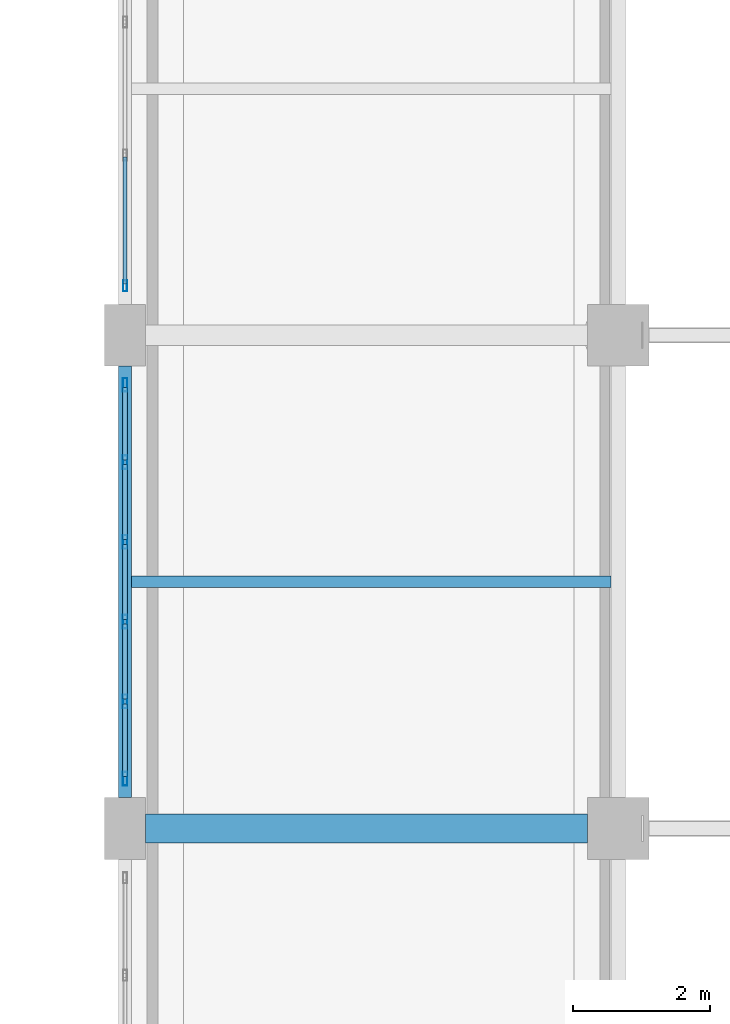
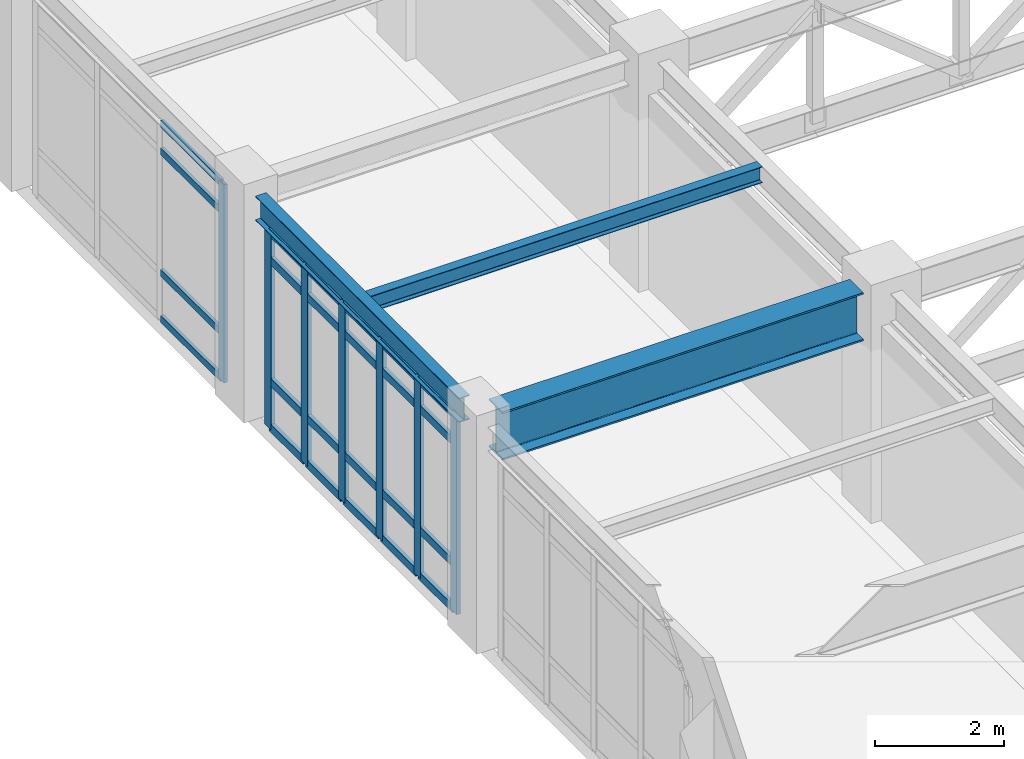
# One storey, part 21 of 106: 31 members, 3 beams, 2 elements without a shape of their own.
"""IFC4 building model written with IfcOpenShell, lengths in metres."""

from ifc_helpers import new_model, si_unit, direction, frame, origin, origin_2d, place, context, subcontext, project, spatial, hollow_rectangle, i_section, extrude, material, layer, layer_set, material_profile, profile_set, type_object, element, aggregate, save


model = new_model("IFC4")

# Units and contexts
model_context = context("Model", 3, precision=1e-05, world=origin(), true_north=direction((0.0, 1.0)))
body_context = subcontext(model_context, "Body", "Model", "MODEL_VIEW")
ifc_project = project(units=[si_unit("LENGTHUNIT", "METRE"), si_unit("AREAUNIT", "SQUARE_METRE"), si_unit("VOLUMEUNIT", "CUBIC_METRE"), si_unit("PLANEANGLEUNIT", "RADIAN"), si_unit("MASSUNIT", "GRAM", prefix="KILO")], contexts=[model_context])

# Site, building, storey
site_placement = place(None, origin())
site = spatial("IfcSite", under=ifc_project, at=site_placement, CompositionType="ELEMENT")
building_placement = place(site_placement, origin())
building = spatial("IfcBuilding", under=site, at=building_placement, Name="Carrowvane Square Congress Hotel", CompositionType="ELEMENT")
storey_placement = place(building_placement, frame((0.0, 0.0, 10.5)))
storey = spatial("IfcBuildingStorey", under=building, at=storey_placement, Name="L02", CompositionType="ELEMENT", Elevation=10.5)

# Beams
ifc_material_1 = material(Name="Steel S355", Category="steel")
ifc_material_profile_1 = material_profile(ifc_material_1, i_section(OverallWidth=0.165771484375, OverallDepth=0.306640625, WebThickness=0.006591796875, FlangeThickness=0.01171875, FilletRadius=0.0087890625, at=origin_2d()), Name="UKB 305x165x46")
ifc_profile_set_1 = profile_set([ifc_material_profile_1], Name="Steel S355")
beam_type_1 = type_object("IfcBeamType", Name="BM-ST-UKB305", PredefinedType="JOIST", material=ifc_profile_set_1)
beam_1_placement = place(storey_placement, frame((134.095703125, 37.800048828125, 4.066650390625), z_axis=(1.0, 0.0, 0.0), x_axis=(0.0, 1.0, 0.0)))
element("IfcBeam", 1, at=beam_1_placement, inside=storey, type_object=beam_type_1, Name="L03 secondary joist 18-19", PredefinedType="JOIST", context=body_context, shape_type="SweptSolid", body=[
    extrude(i_section(OverallWidth=0.165771484375, OverallDepth=0.306640625, WebThickness=0.006591796875, FlangeThickness=0.01171875, FilletRadius=0.0087890625, at=origin_2d()), origin(), (0.0, 0.0, 1.0), 6.999267578125),
])
ifc_material_2 = material(Name="Steel S355", Category="steel")
ifc_material_profile_2 = material_profile(ifc_material_2, i_section(OverallWidth=0.19140625, OverallDepth=0.4599609375, WebThickness=0.010009765625, FlangeThickness=0.01611328125, FilletRadius=0.01025390625, at=origin_2d()), Name="UKB 457x191x82")
ifc_profile_set_2 = profile_set([ifc_material_profile_2], Name="Steel S355")
beam_type_2 = type_object("IfcBeamType", Name="BM-ST-UKB457", PredefinedType="SPANDREL", material=ifc_profile_set_2)
beam_2_placement = place(storey_placement, frame((134.0, 34.64990234375, 3.989990234375), z_axis=(0.0, 1.0, 0.0), x_axis=(-1.0, 0.0, 0.0)))
element("IfcBeam", 2, at=beam_2_placement, inside=storey, type_object=beam_type_2, Name="L03 girder 18/E-F", PredefinedType="SPANDREL", context=body_context, shape_type="SweptSolid", body=[
    extrude(i_section(OverallWidth=0.19140625, OverallDepth=0.4599609375, WebThickness=0.010009765625, FlangeThickness=0.01611328125, FilletRadius=0.01025390625, at=origin_2d()), origin(), (0.0, 0.0, 1.0), 6.300048828125),
])
ifc_material_3 = material(Name="Steel S355", Category="steel")
ifc_material_profile_3 = material_profile(ifc_material_3, i_section(OverallWidth=0.41845703125, OverallDepth=0.911865234375, WebThickness=0.019287109375, FlangeThickness=0.031982421875, FilletRadius=0.024169921875, at=origin_2d()), Name="UKB 914x419x343")
ifc_profile_set_3 = profile_set([ifc_material_profile_3], Name="Steel S355")
beam_type_3 = type_object("IfcBeamType", Name="BM-ST-UKB914B", PredefinedType="USERDEFINED", material=ifc_profile_set_3)
beam_3_placement = place(storey_placement, frame((134.300048828125, 34.199951171875, 3.76416015625), z_axis=(1.0, 0.0, 0.0), x_axis=(0.0, 1.0, 0.0)))
element("IfcBeam", 3, at=beam_3_placement, inside=storey, type_object=beam_type_3, Name="L03 girder E/18-19", ObjectType="GIRDER", PredefinedType="USERDEFINED", context=body_context, shape_type="SweptSolid", body=[
    extrude(i_section(OverallWidth=0.41845703125, OverallDepth=0.911865234375, WebThickness=0.019287109375, FlangeThickness=0.031982421875, FilletRadius=0.024169921875, at=origin_2d()), origin(), (0.0, 0.0, 1.0), 6.449951171875),
])

# Curtain wall, member
ifc_material_4 = material(Name="Anodised aluminium", Category="aluminium")
ifc_layer_1 = layer(ifc_material_4, 0.162109375)
ifc_layer_set_1 = layer_set([ifc_layer_1], Name="Anodised aluminium")
curtain_wall_type_1 = type_object("IfcCurtainWallType", Name="CW-SYS-1", PredefinedType="NOTDEFINED", material=ifc_layer_set_1)
curtain_wall_1_placement = place(storey_placement, origin())
curtain_wall_1 = element("IfcCurtainWall", 4, at=curtain_wall_1_placement, inside=storey, type_object=curtain_wall_type_1, Name="L02 unitised curtain wall 184", PredefinedType="NOTDEFINED")
ifc_material_5 = material(Name="Anodised aluminium", Category="aluminium")
ifc_material_profile_4 = material_profile(ifc_material_5, hollow_rectangle(XDim=0.06005859375, YDim=0.159912109375, WallThickness=0.00390625, at=origin_2d()), Name="CW-ML 60x160x4")
ifc_profile_set_4 = profile_set([ifc_material_profile_4], Name="Anodised aluminium")
member_type_1 = type_object("IfcMemberType", Name="CW-MUL-1", PredefinedType="MULLION", material=ifc_profile_set_4)
member_1_placement = place(storey_placement, frame((134.0, 42.1201171875, 0.0), z_axis=(0.0, 0.0, 1.0), x_axis=(-1.0, 0.0, 0.0)))
member_1 = element("IfcMember", 5, at=member_1_placement, type_object=member_type_1, Name="CW-1 mullion 1", PredefinedType="MULLION", context=body_context, shape_type="SweptSolid", body=[
    extrude(hollow_rectangle(XDim=0.06005859375, YDim=0.159912109375, WallThickness=0.00390625, at=origin_2d()), origin(), (0.0, 0.0, 1.0), 3.7451171875),
])

# Curtain wall, members
ifc_material_6 = material(Name="Anodised aluminium", Category="aluminium")
ifc_layer_2 = layer(ifc_material_6, 0.24609375)
ifc_layer_set_2 = layer_set([ifc_layer_2], Name="Anodised aluminium")
curtain_wall_type_2 = type_object("IfcCurtainWallType", Name="CW-SYS-8", PredefinedType="NOTDEFINED", material=ifc_layer_set_2)
curtain_wall_2_placement = place(storey_placement, origin())
curtain_wall_2 = element("IfcCurtainWall", 6, at=curtain_wall_2_placement, inside=storey, type_object=curtain_wall_type_2, Name="L02 unitised curtain wall 183", PredefinedType="NOTDEFINED")
ifc_material_7 = material(Name="Anodised aluminium", Category="aluminium")
ifc_material_profile_5 = material_profile(ifc_material_7, hollow_rectangle(XDim=0.070068359375, YDim=0.199951171875, WallThickness=0.0048828125, at=origin_2d()), Name="CW-ML 70x200x5")
ifc_profile_set_5 = profile_set([ifc_material_profile_5], Name="Anodised aluminium")
member_type_2 = type_object("IfcMemberType", Name="CW-MUL-2", PredefinedType="MULLION", material=ifc_profile_set_5)
member_2_placement = place(storey_placement, frame((134.0, 34.925048828125, 0.0), z_axis=(0.0, 0.0, 1.0), x_axis=(-1.0, 0.0, 0.0)))
member_2 = element("IfcMember", 7, at=member_2_placement, type_object=member_type_2, Name="CW-8 mullion 1", PredefinedType="MULLION", context=body_context, shape_type="SweptSolid", body=[
    extrude(hollow_rectangle(XDim=0.070068359375, YDim=0.199951171875, WallThickness=0.0048828125, at=origin_2d()), origin(), (0.0, 0.0, 1.0), 3.7451171875),
])
member_3_placement = place(storey_placement, frame((134.0, 36.053955078125, 0.0), z_axis=(0.0, 0.0, 1.0), x_axis=(-1.0, 0.0, 0.0)))
member_3 = element("IfcMember", 8, at=member_3_placement, type_object=member_type_2, Name="CW-8 mullion 2", PredefinedType="MULLION", context=body_context, shape_type="SweptSolid", body=[
    extrude(hollow_rectangle(XDim=0.070068359375, YDim=0.199951171875, WallThickness=0.0048828125, at=origin_2d()), origin(), (0.0, 0.0, 1.0), 3.7451171875),
])
member_4_placement = place(storey_placement, frame((134.0, 37.218017578125, 0.0), z_axis=(0.0, 0.0, 1.0), x_axis=(-1.0, 0.0, 0.0)))
member_4 = element("IfcMember", 9, at=member_4_placement, type_object=member_type_2, Name="CW-8 mullion 3", PredefinedType="MULLION", context=body_context, shape_type="SweptSolid", body=[
    extrude(hollow_rectangle(XDim=0.070068359375, YDim=0.199951171875, WallThickness=0.0048828125, at=origin_2d()), origin(), (0.0, 0.0, 1.0), 3.7451171875),
])
member_5_placement = place(storey_placement, frame((134.0, 38.382080078125, 0.0), z_axis=(0.0, 0.0, 1.0), x_axis=(-1.0, 0.0, 0.0)))
member_5 = element("IfcMember", 10, at=member_5_placement, type_object=member_type_2, Name="CW-8 mullion 4", PredefinedType="MULLION", context=body_context, shape_type="SweptSolid", body=[
    extrude(hollow_rectangle(XDim=0.070068359375, YDim=0.199951171875, WallThickness=0.0048828125, at=origin_2d()), origin(), (0.0, 0.0, 1.0), 3.7451171875),
])
member_6_placement = place(storey_placement, frame((134.0, 39.5458984375, 0.0), z_axis=(0.0, 0.0, 1.0), x_axis=(-1.0, 0.0, 0.0)))
member_6 = element("IfcMember", 11, at=member_6_placement, type_object=member_type_2, Name="CW-8 mullion 5", PredefinedType="MULLION", context=body_context, shape_type="SweptSolid", body=[
    extrude(hollow_rectangle(XDim=0.070068359375, YDim=0.199951171875, WallThickness=0.0048828125, at=origin_2d()), origin(), (0.0, 0.0, 1.0), 3.7451171875),
])
member_7_placement = place(storey_placement, frame((134.0, 40.675048828125, 0.0), z_axis=(0.0, 0.0, 1.0), x_axis=(-1.0, 0.0, 0.0)))
member_7 = element("IfcMember", 12, at=member_7_placement, type_object=member_type_2, Name="CW-8 mullion 6", PredefinedType="MULLION", context=body_context, shape_type="SweptSolid", body=[
    extrude(hollow_rectangle(XDim=0.070068359375, YDim=0.199951171875, WallThickness=0.0048828125, at=origin_2d()), origin(), (0.0, 0.0, 1.0), 3.7451171875),
])

# Member
ifc_material_8 = material(Name="Anodised aluminium", Category="aluminium")
ifc_material_profile_6 = material_profile(ifc_material_8, hollow_rectangle(XDim=0.06005859375, YDim=0.1298828125, WallThickness=0.00390625, at=origin_2d()), Name="CW-TR 60x130x4")
ifc_profile_set_6 = profile_set([ifc_material_profile_6], Name="Anodised aluminium")
member_type_3 = type_object("IfcMemberType", Name="CW-TRN-1", PredefinedType="USERDEFINED", material=ifc_profile_set_6)
member_8_placement = place(storey_placement, frame((134.0, 42.14990234375, 0.030029296875), z_axis=(0.0, 1.0, 0.0), x_axis=(-1.0, 0.0, 0.0)))
member_8 = element("IfcMember", 13, at=member_8_placement, type_object=member_type_3, Name="CW-1 transom 1.1", ObjectType="TRANSOM", PredefinedType="USERDEFINED", context=body_context, shape_type="SweptSolid", body=[
    extrude(hollow_rectangle(XDim=0.06005859375, YDim=0.1298828125, WallThickness=0.00390625, at=origin_2d()), origin(), (0.0, 0.0, 1.0), 1.85009765625),
])

member_9_placement = place(storey_placement, frame((134.0, 42.14990234375, 0.89990234375), z_axis=(0.0, 1.0, 0.0), x_axis=(-1.0, 0.0, 0.0)))
member_9 = element("IfcMember", 14, at=member_9_placement, type_object=member_type_3, Name="CW-1 transom 1.2", ObjectType="TRANSOM", PredefinedType="USERDEFINED", context=body_context, shape_type="SweptSolid", body=[
    extrude(hollow_rectangle(XDim=0.06005859375, YDim=0.1298828125, WallThickness=0.00390625, at=origin_2d()), origin(), (0.0, 0.0, 1.0), 1.85009765625),
])

member_10_placement = place(storey_placement, frame((134.0, 42.14990234375, 3.195068359375), z_axis=(0.0, 1.0, 0.0), x_axis=(-1.0, 0.0, 0.0)))
member_10 = element("IfcMember", 15, at=member_10_placement, type_object=member_type_3, Name="CW-1 transom 1.3", ObjectType="TRANSOM", PredefinedType="USERDEFINED", context=body_context, shape_type="SweptSolid", body=[
    extrude(hollow_rectangle(XDim=0.06005859375, YDim=0.1298828125, WallThickness=0.00390625, at=origin_2d()), origin(), (0.0, 0.0, 1.0), 1.85009765625),
])

member_11_placement = place(storey_placement, frame((134.0, 42.14990234375, 3.715087890625), z_axis=(0.0, 1.0, 0.0), x_axis=(-1.0, 0.0, 0.0)))
member_11 = element("IfcMember", 16, at=member_11_placement, type_object=member_type_3, Name="CW-1 transom 1.4", ObjectType="TRANSOM", PredefinedType="USERDEFINED", context=body_context, shape_type="SweptSolid", body=[
    extrude(hollow_rectangle(XDim=0.06005859375, YDim=0.1298828125, WallThickness=0.00390625, at=origin_2d()), origin(), (0.0, 0.0, 1.0), 1.85009765625),
])

aggregate(curtain_wall_1, [member_1, member_8, member_9, member_10, member_11])

ifc_material_9 = material(Name="Anodised aluminium", Category="aluminium")
ifc_material_profile_7 = material_profile(ifc_material_9, hollow_rectangle(XDim=0.070068359375, YDim=0.14990234375, WallThickness=0.0048828125, at=origin_2d()), Name="CW-TR 70x150x5")
ifc_profile_set_7 = profile_set([ifc_material_profile_7], Name="Anodised aluminium")
member_type_4 = type_object("IfcMemberType", Name="CW-TRN-2", PredefinedType="USERDEFINED", material=ifc_profile_set_7)
member_12_placement = place(storey_placement, frame((134.0, 34.9599609375, 0.034912109375), z_axis=(0.0, 1.0, 0.0), x_axis=(-1.0, 0.0, 0.0)))
member_12 = element("IfcMember", 17, at=member_12_placement, type_object=member_type_4, Name="CW-8 transom 1.1", ObjectType="TRANSOM", PredefinedType="USERDEFINED", context=body_context, shape_type="SweptSolid", body=[
    extrude(hollow_rectangle(XDim=0.070068359375, YDim=0.14990234375, WallThickness=0.0048828125, at=origin_2d()), origin(), (0.0, 0.0, 1.0), 1.05908203125),
])

member_13_placement = place(storey_placement, frame((134.0, 34.9599609375, 0.89990234375), z_axis=(0.0, 1.0, 0.0), x_axis=(-1.0, 0.0, 0.0)))
member_13 = element("IfcMember", 18, at=member_13_placement, type_object=member_type_4, Name="CW-8 transom 1.2", ObjectType="TRANSOM", PredefinedType="USERDEFINED", context=body_context, shape_type="SweptSolid", body=[
    extrude(hollow_rectangle(XDim=0.070068359375, YDim=0.14990234375, WallThickness=0.0048828125, at=origin_2d()), origin(), (0.0, 0.0, 1.0), 1.05908203125),
])

member_14_placement = place(storey_placement, frame((134.0, 34.9599609375, 3.195068359375), z_axis=(0.0, 1.0, 0.0), x_axis=(-1.0, 0.0, 0.0)))
member_14 = element("IfcMember", 19, at=member_14_placement, type_object=member_type_4, Name="CW-8 transom 1.3", ObjectType="TRANSOM", PredefinedType="USERDEFINED", context=body_context, shape_type="SweptSolid", body=[
    extrude(hollow_rectangle(XDim=0.070068359375, YDim=0.14990234375, WallThickness=0.0048828125, at=origin_2d()), origin(), (0.0, 0.0, 1.0), 1.05908203125),
])

member_15_placement = place(storey_placement, frame((134.0, 34.9599609375, 3.7099609375), z_axis=(0.0, 1.0, 0.0), x_axis=(-1.0, 0.0, 0.0)))
member_15 = element("IfcMember", 20, at=member_15_placement, type_object=member_type_4, Name="CW-8 transom 1.4", ObjectType="TRANSOM", PredefinedType="USERDEFINED", context=body_context, shape_type="SweptSolid", body=[
    extrude(hollow_rectangle(XDim=0.070068359375, YDim=0.14990234375, WallThickness=0.0048828125, at=origin_2d()), origin(), (0.0, 0.0, 1.0), 1.05908203125),
])

member_16_placement = place(storey_placement, frame((134.0, 36.089111328125, 0.034912109375), z_axis=(0.0, 1.0, 0.0), x_axis=(-1.0, 0.0, 0.0)))
member_16 = element("IfcMember", 21, at=member_16_placement, type_object=member_type_4, Name="CW-8 transom 2.1", ObjectType="TRANSOM", PredefinedType="USERDEFINED", context=body_context, shape_type="SweptSolid", body=[
    extrude(hollow_rectangle(XDim=0.070068359375, YDim=0.14990234375, WallThickness=0.0048828125, at=origin_2d()), origin(), (0.0, 0.0, 1.0), 1.093994140625),
])

member_17_placement = place(storey_placement, frame((134.0, 36.089111328125, 0.89990234375), z_axis=(0.0, 1.0, 0.0), x_axis=(-1.0, 0.0, 0.0)))
member_17 = element("IfcMember", 22, at=member_17_placement, type_object=member_type_4, Name="CW-8 transom 2.2", ObjectType="TRANSOM", PredefinedType="USERDEFINED", context=body_context, shape_type="SweptSolid", body=[
    extrude(hollow_rectangle(XDim=0.070068359375, YDim=0.14990234375, WallThickness=0.0048828125, at=origin_2d()), origin(), (0.0, 0.0, 1.0), 1.093994140625),
])

member_18_placement = place(storey_placement, frame((134.0, 36.089111328125, 3.195068359375), z_axis=(0.0, 1.0, 0.0), x_axis=(-1.0, 0.0, 0.0)))
member_18 = element("IfcMember", 23, at=member_18_placement, type_object=member_type_4, Name="CW-8 transom 2.3", ObjectType="TRANSOM", PredefinedType="USERDEFINED", context=body_context, shape_type="SweptSolid", body=[
    extrude(hollow_rectangle(XDim=0.070068359375, YDim=0.14990234375, WallThickness=0.0048828125, at=origin_2d()), origin(), (0.0, 0.0, 1.0), 1.093994140625),
])

member_19_placement = place(storey_placement, frame((134.0, 36.089111328125, 3.7099609375), z_axis=(0.0, 1.0, 0.0), x_axis=(-1.0, 0.0, 0.0)))
member_19 = element("IfcMember", 24, at=member_19_placement, type_object=member_type_4, Name="CW-8 transom 2.4", ObjectType="TRANSOM", PredefinedType="USERDEFINED", context=body_context, shape_type="SweptSolid", body=[
    extrude(hollow_rectangle(XDim=0.070068359375, YDim=0.14990234375, WallThickness=0.0048828125, at=origin_2d()), origin(), (0.0, 0.0, 1.0), 1.093994140625),
])

member_20_placement = place(storey_placement, frame((134.0, 37.2529296875, 0.034912109375), z_axis=(0.0, 1.0, 0.0), x_axis=(-1.0, 0.0, 0.0)))
member_20 = element("IfcMember", 25, at=member_20_placement, type_object=member_type_4, Name="CW-8 transom 3.1", ObjectType="TRANSOM", PredefinedType="USERDEFINED", context=body_context, shape_type="SweptSolid", body=[
    extrude(hollow_rectangle(XDim=0.070068359375, YDim=0.14990234375, WallThickness=0.0048828125, at=origin_2d()), origin(), (0.0, 0.0, 1.0), 1.093994140625),
])

member_21_placement = place(storey_placement, frame((134.0, 37.2529296875, 0.89990234375), z_axis=(0.0, 1.0, 0.0), x_axis=(-1.0, 0.0, 0.0)))
member_21 = element("IfcMember", 26, at=member_21_placement, type_object=member_type_4, Name="CW-8 transom 3.2", ObjectType="TRANSOM", PredefinedType="USERDEFINED", context=body_context, shape_type="SweptSolid", body=[
    extrude(hollow_rectangle(XDim=0.070068359375, YDim=0.14990234375, WallThickness=0.0048828125, at=origin_2d()), origin(), (0.0, 0.0, 1.0), 1.093994140625),
])

member_22_placement = place(storey_placement, frame((134.0, 37.2529296875, 3.195068359375), z_axis=(0.0, 1.0, 0.0), x_axis=(-1.0, 0.0, 0.0)))
member_22 = element("IfcMember", 27, at=member_22_placement, type_object=member_type_4, Name="CW-8 transom 3.3", ObjectType="TRANSOM", PredefinedType="USERDEFINED", context=body_context, shape_type="SweptSolid", body=[
    extrude(hollow_rectangle(XDim=0.070068359375, YDim=0.14990234375, WallThickness=0.0048828125, at=origin_2d()), origin(), (0.0, 0.0, 1.0), 1.093994140625),
])

member_23_placement = place(storey_placement, frame((134.0, 37.2529296875, 3.7099609375), z_axis=(0.0, 1.0, 0.0), x_axis=(-1.0, 0.0, 0.0)))
member_23 = element("IfcMember", 28, at=member_23_placement, type_object=member_type_4, Name="CW-8 transom 3.4", ObjectType="TRANSOM", PredefinedType="USERDEFINED", context=body_context, shape_type="SweptSolid", body=[
    extrude(hollow_rectangle(XDim=0.070068359375, YDim=0.14990234375, WallThickness=0.0048828125, at=origin_2d()), origin(), (0.0, 0.0, 1.0), 1.093994140625),
])

member_24_placement = place(storey_placement, frame((134.0, 38.4169921875, 0.034912109375), z_axis=(0.0, 1.0, 0.0), x_axis=(-1.0, 0.0, 0.0)))
member_24 = element("IfcMember", 29, at=member_24_placement, type_object=member_type_4, Name="CW-8 transom 4.1", ObjectType="TRANSOM", PredefinedType="USERDEFINED", context=body_context, shape_type="SweptSolid", body=[
    extrude(hollow_rectangle(XDim=0.070068359375, YDim=0.14990234375, WallThickness=0.0048828125, at=origin_2d()), origin(), (0.0, 0.0, 1.0), 1.093994140625),
])

member_25_placement = place(storey_placement, frame((134.0, 38.4169921875, 0.89990234375), z_axis=(0.0, 1.0, 0.0), x_axis=(-1.0, 0.0, 0.0)))
member_25 = element("IfcMember", 30, at=member_25_placement, type_object=member_type_4, Name="CW-8 transom 4.2", ObjectType="TRANSOM", PredefinedType="USERDEFINED", context=body_context, shape_type="SweptSolid", body=[
    extrude(hollow_rectangle(XDim=0.070068359375, YDim=0.14990234375, WallThickness=0.0048828125, at=origin_2d()), origin(), (0.0, 0.0, 1.0), 1.093994140625),
])

member_26_placement = place(storey_placement, frame((134.0, 38.4169921875, 3.195068359375), z_axis=(0.0, 1.0, 0.0), x_axis=(-1.0, 0.0, 0.0)))
member_26 = element("IfcMember", 31, at=member_26_placement, type_object=member_type_4, Name="CW-8 transom 4.3", ObjectType="TRANSOM", PredefinedType="USERDEFINED", context=body_context, shape_type="SweptSolid", body=[
    extrude(hollow_rectangle(XDim=0.070068359375, YDim=0.14990234375, WallThickness=0.0048828125, at=origin_2d()), origin(), (0.0, 0.0, 1.0), 1.093994140625),
])

member_27_placement = place(storey_placement, frame((134.0, 38.4169921875, 3.7099609375), z_axis=(0.0, 1.0, 0.0), x_axis=(-1.0, 0.0, 0.0)))
member_27 = element("IfcMember", 32, at=member_27_placement, type_object=member_type_4, Name="CW-8 transom 4.4", ObjectType="TRANSOM", PredefinedType="USERDEFINED", context=body_context, shape_type="SweptSolid", body=[
    extrude(hollow_rectangle(XDim=0.070068359375, YDim=0.14990234375, WallThickness=0.0048828125, at=origin_2d()), origin(), (0.0, 0.0, 1.0), 1.093994140625),
])

member_28_placement = place(storey_placement, frame((134.0, 39.5810546875, 0.034912109375), z_axis=(0.0, 1.0, 0.0), x_axis=(-1.0, 0.0, 0.0)))
member_28 = element("IfcMember", 33, at=member_28_placement, type_object=member_type_4, Name="CW-8 transom 5.1", ObjectType="TRANSOM", PredefinedType="USERDEFINED", context=body_context, shape_type="SweptSolid", body=[
    extrude(hollow_rectangle(XDim=0.070068359375, YDim=0.14990234375, WallThickness=0.0048828125, at=origin_2d()), origin(), (0.0, 0.0, 1.0), 1.058837890625),
])

member_29_placement = place(storey_placement, frame((134.0, 39.5810546875, 0.89990234375), z_axis=(0.0, 1.0, 0.0), x_axis=(-1.0, 0.0, 0.0)))
member_29 = element("IfcMember", 34, at=member_29_placement, type_object=member_type_4, Name="CW-8 transom 5.2", ObjectType="TRANSOM", PredefinedType="USERDEFINED", context=body_context, shape_type="SweptSolid", body=[
    extrude(hollow_rectangle(XDim=0.070068359375, YDim=0.14990234375, WallThickness=0.0048828125, at=origin_2d()), origin(), (0.0, 0.0, 1.0), 1.058837890625),
])

member_30_placement = place(storey_placement, frame((134.0, 39.5810546875, 3.195068359375), z_axis=(0.0, 1.0, 0.0), x_axis=(-1.0, 0.0, 0.0)))
member_30 = element("IfcMember", 35, at=member_30_placement, type_object=member_type_4, Name="CW-8 transom 5.3", ObjectType="TRANSOM", PredefinedType="USERDEFINED", context=body_context, shape_type="SweptSolid", body=[
    extrude(hollow_rectangle(XDim=0.070068359375, YDim=0.14990234375, WallThickness=0.0048828125, at=origin_2d()), origin(), (0.0, 0.0, 1.0), 1.058837890625),
])

member_31_placement = place(storey_placement, frame((134.0, 39.5810546875, 3.7099609375), z_axis=(0.0, 1.0, 0.0), x_axis=(-1.0, 0.0, 0.0)))
member_31 = element("IfcMember", 36, at=member_31_placement, type_object=member_type_4, Name="CW-8 transom 5.4", ObjectType="TRANSOM", PredefinedType="USERDEFINED", context=body_context, shape_type="SweptSolid", body=[
    extrude(hollow_rectangle(XDim=0.070068359375, YDim=0.14990234375, WallThickness=0.0048828125, at=origin_2d()), origin(), (0.0, 0.0, 1.0), 1.058837890625),
])

aggregate(curtain_wall_2, [member_2, member_3, member_4, member_5, member_6, member_7, member_12, member_13, member_14, member_15, member_16, member_17, member_18, member_19, member_20, member_21, member_22, member_23, member_24, member_25, member_26, member_27, member_28, member_29, member_30, member_31])

save(model, "model.ifc")
